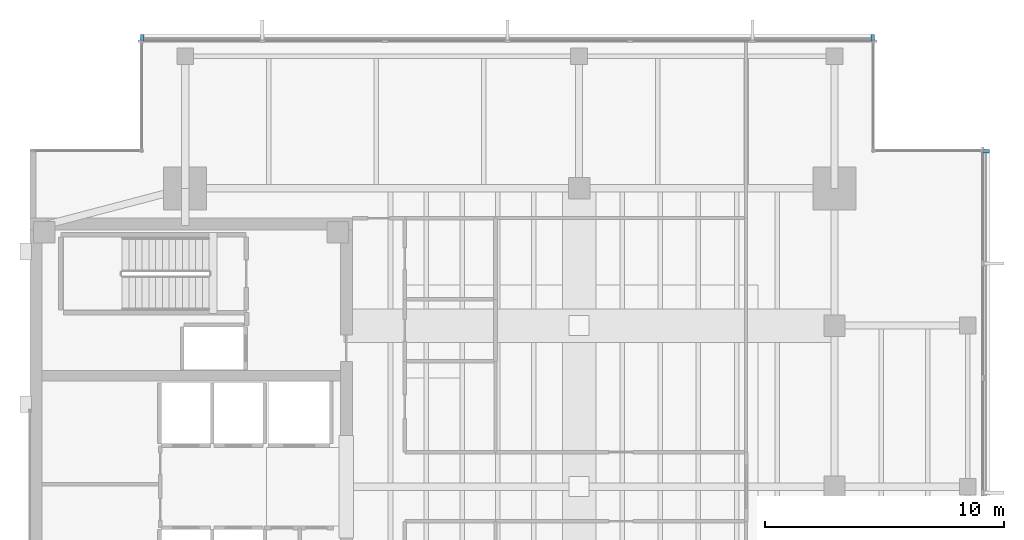
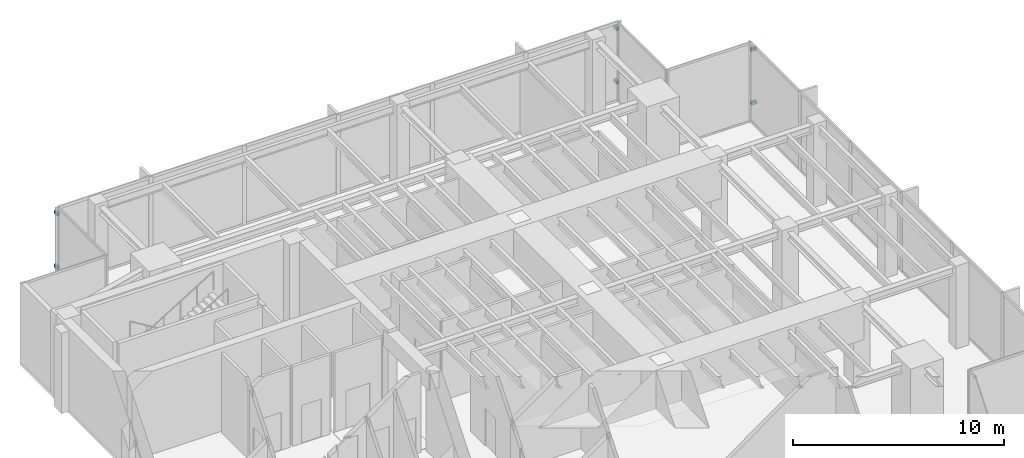
# One storey, part 10 of 14: 6 discrete accessories.
"""IFC4 building model written with IfcOpenShell, lengths in metres."""

from ifc_helpers import new_model, si_unit, direction, frame, origin, origin_2d, place, context, subcontext, project, spatial, rectangle, extrude, material, type_object, element, save


model = new_model("IFC4")

# Units and contexts
model_context = context("Model", 3, precision=1e-05, world=origin(), true_north=direction((0.0, 1.0)))
body_context = subcontext(model_context, "Body", "Model", "MODEL_VIEW")
ifc_project = project(units=[si_unit("LENGTHUNIT", "METRE"), si_unit("AREAUNIT", "SQUARE_METRE"), si_unit("VOLUMEUNIT", "CUBIC_METRE"), si_unit("PLANEANGLEUNIT", "RADIAN"), si_unit("MASSUNIT", "GRAM", prefix="KILO")], contexts=[model_context])

# Site, building, storey
site_placement = place(None, origin())
site = spatial("IfcSite", under=ifc_project, at=site_placement, CompositionType="ELEMENT")
building_placement = place(site_placement, origin())
building = spatial("IfcBuilding", under=site, at=building_placement, Name="Kinhvarn Gate Tower", CompositionType="ELEMENT")
storey_placement = place(building_placement, frame((0.0, 0.0, 291.85009765625)))
storey = spatial("IfcBuildingStorey", under=building, at=storey_placement, Name="L78", CompositionType="ELEMENT", Elevation=291.85009765625)

# Discrete accessories
ifc_material = material(Name="Anodised aluminium AW-6063", Category="aluminium")
discrete_accessory_type = type_object("IfcDiscreteAccessoryType", Name="ACC-BRK-01", PredefinedType="BRACKET", material=ifc_material)
for number, where, z_axis, x_axis, name in (
    (1, (39.800048828125, 44.06005859375, 0.9599609375), (0.0, 0.0, 1.0), (-1.0, 0.0, 0.0), "Baguette Support Bracket BK-01 (L78)"),
    (2, (39.800048828125, 44.06005859375, 4.06005859375), (0.0, 0.0, 1.0), (-1.0, 0.0, 0.0), "Baguette Support Bracket BK-01 (L78)"),
    (3, (9.199951171875, 44.06005859375, 0.9599609375), (0.0, 0.0, 1.0), (-1.0, 0.0, 0.0), "Baguette Support Bracket BK-01 (L78)"),
    (4, (9.199951171875, 44.06005859375, 4.06005859375), (0.0, 0.0, 1.0), (-1.0, 0.0, 0.0), "Baguette Support Bracket BK-01 (L78)"),
    (5, (44.56005859375, 39.300048828125, 0.9599609375), (0.0, 0.0, 1.0), (0.0, 1.0, 0.0), "Baguette Support Bracket BK-01 (L78)"),
    (6, (44.56005859375, 39.300048828125, 4.06005859375), (0.0, 0.0, 1.0), (0.0, 1.0, 0.0), "Baguette Support Bracket BK-01 (L78)"),
):
    element("IfcDiscreteAccessory", number, at=place(storey_placement, frame(where, z_axis=z_axis, x_axis=x_axis)), inside=storey, type_object=discrete_accessory_type, Name=name, PredefinedType="BRACKET", context=body_context, shape_type="SweptSolid", body=[
        extrude(rectangle(XDim=0.139892578125, YDim=0.280029296875, at=origin_2d()), origin(), (0.0, 0.0, 1.0), 0.179931640625),
    ])

save(model, "model.ifc")
